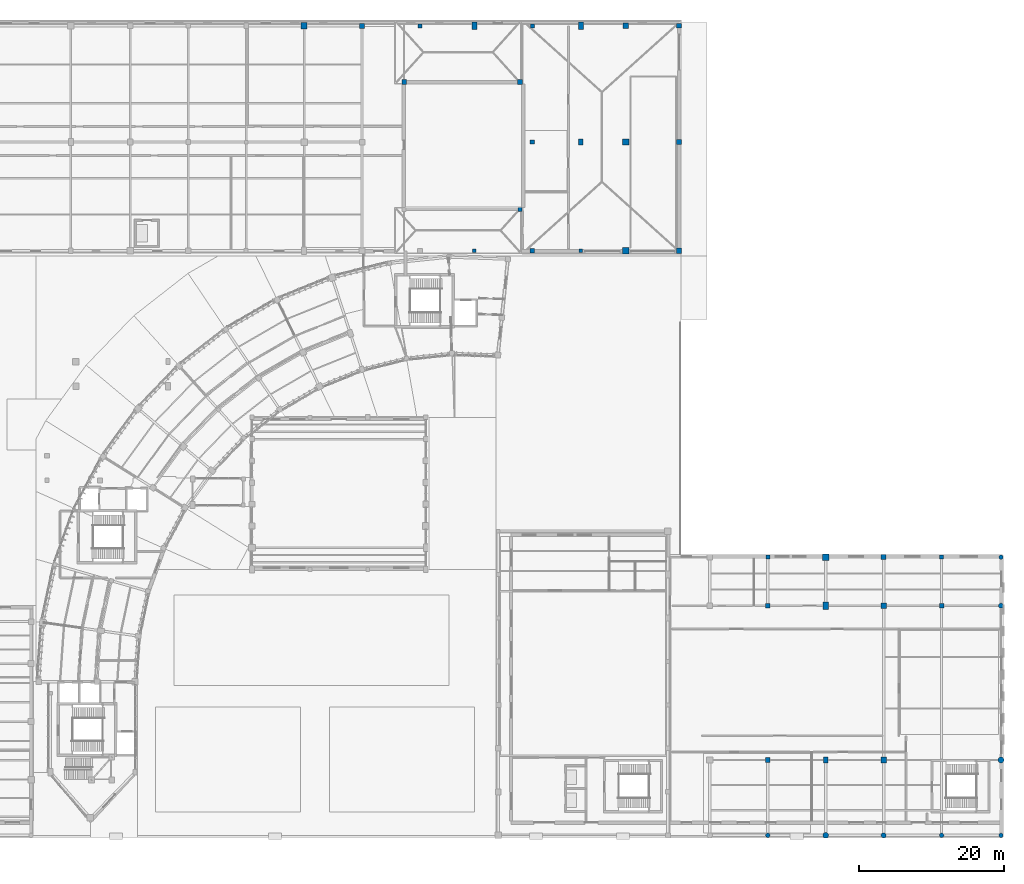
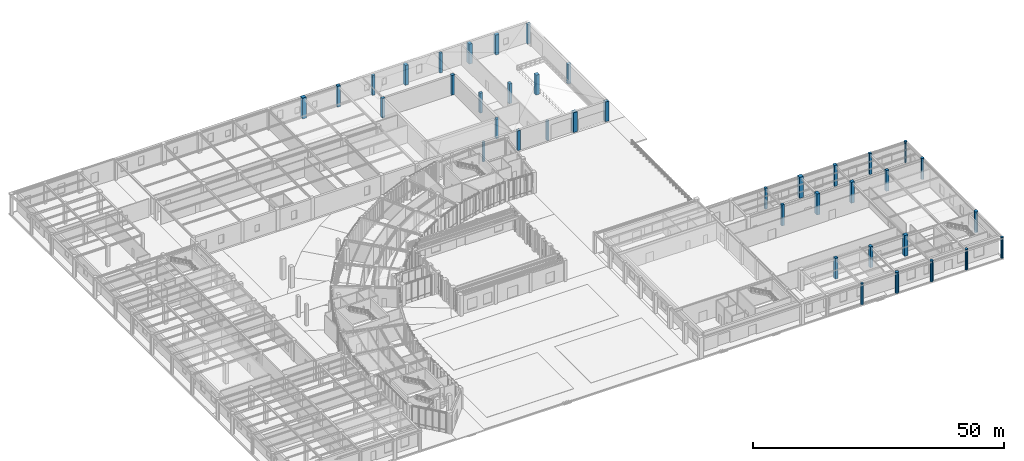
# One storey, part 2 of 68: 39 columns.
"""IFC4 building model written with IfcOpenShell, lengths in metres."""

from ifc_helpers import new_model, si_unit, direction, frame, origin, origin_2d, place, context, subcontext, project, spatial, rectangle, circle, extrude, material, material_profile, profile_set, type_object, element, save


model = new_model("IFC4")

# Units and contexts
model_context = context("Model", 3, precision=1e-05, world=origin(), true_north=direction((0.0, 1.0)))
body_context = subcontext(model_context, "Body", "Model", "MODEL_VIEW")
ifc_project = project(units=[si_unit("LENGTHUNIT", "METRE"), si_unit("AREAUNIT", "SQUARE_METRE"), si_unit("VOLUMEUNIT", "CUBIC_METRE"), si_unit("PLANEANGLEUNIT", "RADIAN"), si_unit("MASSUNIT", "GRAM", prefix="KILO"), si_unit("THERMODYNAMICTEMPERATUREUNIT", "KELVIN"), si_unit("POWERUNIT", "WATT")], contexts=[model_context])

# Site, building, storey
site_placement = place(None, origin())
site = spatial("IfcSite", under=ifc_project, at=site_placement, CompositionType="ELEMENT")
building_placement = place(site_placement, origin())
building = spatial("IfcBuilding", under=site, at=building_placement, Name="Solvatero Civic Police Headquarters", CompositionType="ELEMENT")
storey_placement = place(building_placement, origin())
storey = spatial("IfcBuildingStorey", under=building, at=storey_placement, Name="L00", CompositionType="ELEMENT", Elevation=0.0)

# Columns
ifc_material = material(Name="Concrete C40/50", Category="concrete")
ifc_material_profile_1 = material_profile(ifc_material, rectangle(XDim=0.5, YDim=0.5, at=origin_2d()), Name="RC 500x500")
ifc_profile_set_1 = profile_set([ifc_material_profile_1], Name="Concrete C40/50")
column_type_1 = type_object("IfcColumnType", Name="COL-RC-500", PredefinedType="COLUMN", material=ifc_profile_set_1)
for number, where, z_axis, x_axis, name in (
    (1, (110.199951171875, 85.5, 0.0), (0.0, 0.0, 1.0), (1.0, 0.0, 0.0), "Column V7-X11Y1 L00"),
    (2, (95.5, 85.5, 0.0), (0.0, 0.0, 1.0), (1.0, 0.0, 0.0), "Column V7-X9Y1 L00"),
):
    element("IfcColumn", number, at=place(storey_placement, frame(where, z_axis=z_axis, x_axis=x_axis)), inside=storey, type_object=column_type_1, Name=name, PredefinedType="COLUMN", context=body_context, shape_type="SweptSolid", body=[
        extrude(rectangle(XDim=0.5, YDim=0.5, at=origin_2d()), origin(), (0.0, 0.0, 1.0), 4.840087890625),
    ])
ifc_material_profile_2 = material_profile(ifc_material, rectangle(XDim=0.550048828125, YDim=0.550048828125, at=origin_2d()), Name="RC 550x550")
ifc_profile_set_2 = profile_set([ifc_material_profile_2], Name="Concrete C40/50")
column_type_2 = type_object("IfcColumnType", Name="COL-RC-550", PredefinedType="COLUMN", material=ifc_profile_set_2)
for number, where, z_axis, x_axis, name in (
    (3, (136.0, 43.199951171875, 0.0), (0.0, 0.0, 1.0), (1.0, 0.0, 0.0), "Column V3-X2Y4 L00"),
    (4, (160.0, 43.199951171875, 0.0), (0.0, 0.0, 1.0), (1.0, 0.0, 0.0), "Column V3-X5Y4 L00"),
):
    element("IfcColumn", number, at=place(storey_placement, frame(where, z_axis=z_axis, x_axis=x_axis)), inside=storey, type_object=column_type_2, Name=name, PredefinedType="COLUMN", context=body_context, shape_type="SweptSolid", body=[
        extrude(rectangle(XDim=0.550048828125, YDim=0.550048828125, at=origin_2d()), origin(), (0.0, 0.0, 1.0), 5.10009765625),
    ])
for number, where, z_axis, x_axis, name in (
    (5, (103.5, 116.550048828125, 0.0), (0.0, 0.0, 1.0), (1.0, 0.0, 0.0), "Column V7-X10Y3 L00"),
    (6, (88.0, 116.550048828125, 0.0), (0.0, 0.0, 1.0), (1.0, 0.0, 0.0), "Column V7-X8Y3 L00"),
):
    element("IfcColumn", number, at=place(storey_placement, frame(where, z_axis=z_axis, x_axis=x_axis)), inside=storey, type_object=column_type_2, Name=name, PredefinedType="COLUMN", context=body_context, shape_type="SweptSolid", body=[
        extrude(rectangle(XDim=0.550048828125, YDim=0.550048828125, at=origin_2d()), origin(), (0.0, 0.0, 1.0), 4.840087890625),
    ])
ifc_material_profile_3 = material_profile(ifc_material, rectangle(XDim=0.60009765625, YDim=0.60009765625, at=origin_2d()), Name="RC 600x600")
ifc_profile_set_3 = profile_set([ifc_material_profile_3], Name="Concrete C40/50")
column_type_3 = type_object("IfcColumnType", Name="COL-RC-600", PredefinedType="COLUMN", material=ifc_profile_set_3)
column_1_placement = place(storey_placement, frame((101.800048828125, 91.199951171875, 0.0), z_axis=(0.0, 0.0, 1.0), x_axis=(1.0, 0.0, 0.0)))
element("IfcColumn", 7, at=column_1_placement, inside=storey, type_object=column_type_3, Name="Column CUSY-SE L00", PredefinedType="COLUMN", context=body_context, shape_type="SweptSolid", body=[
    extrude(rectangle(XDim=0.60009765625, YDim=0.60009765625, at=origin_2d()), origin(), (0.0, 0.0, 1.0), 4.780029296875),
])
for number, where, z_axis, x_axis, name in (
    (8, (136.0, 36.5, 0.0), (0.0, 0.0, 1.0), (1.0, 0.0, 0.0), "Column V3-X2Y3 L00"),
    (9, (160.0, 36.5, 0.0), (0.0, 0.0, 1.0), (1.0, 0.0, 0.0), "Column V3-X5Y3 L00"),
):
    element("IfcColumn", number, at=place(storey_placement, frame(where, z_axis=z_axis, x_axis=x_axis)), inside=storey, type_object=column_type_3, Name=name, PredefinedType="COLUMN", context=body_context, shape_type="SweptSolid", body=[
        extrude(rectangle(XDim=0.60009765625, YDim=0.60009765625, at=origin_2d()), origin(), (0.0, 0.0, 1.0), 5.10009765625),
    ])
column_2_placement = place(storey_placement, frame((103.5, 100.5, 0.0), z_axis=(0.0, 0.0, 1.0), x_axis=(1.0, 0.0, 0.0)))
element("IfcColumn", 10, at=column_2_placement, inside=storey, type_object=column_type_3, Name="Column V7-X10Y2 L00", PredefinedType="COLUMN", context=body_context, shape_type="SweptSolid", body=[
    extrude(rectangle(XDim=0.60009765625, YDim=0.60009765625, at=origin_2d()), origin(), (0.0, 0.0, 1.0), 4.840087890625),
])
ifc_material_profile_4 = material_profile(ifc_material, rectangle(XDim=0.60009765625, YDim=0.800048828125, at=origin_2d()), Name="RC 600x800")
ifc_profile_set_4 = profile_set([ifc_material_profile_4], Name="Concrete C40/50")
column_type_4 = type_object("IfcColumnType", Name="COL-RC-600x800", PredefinedType="COLUMN", material=ifc_profile_set_4)
column_3_placement = place(storey_placement, frame((144.0, 15.199951171875, 0.0), z_axis=(0.0, 0.0, 1.0), x_axis=(1.0, 0.0, 0.0)))
element("IfcColumn", 11, at=column_3_placement, inside=storey, type_object=column_type_4, Name="Column V3-X3Y2 L00", PredefinedType="COLUMN", context=body_context, shape_type="SweptSolid", body=[
    extrude(rectangle(XDim=0.60009765625, YDim=0.800048828125, at=origin_2d()), origin(), (0.0, 0.0, 1.0), 5.10009765625),
])
column_4_placement = place(storey_placement, frame((110.199951171875, 100.5, 0.0), z_axis=(0.0, 0.0, 1.0), x_axis=(1.0, 0.0, 0.0)))
element("IfcColumn", 12, at=column_4_placement, inside=storey, type_object=column_type_4, Name="Column V7-X11Y2 L00", PredefinedType="COLUMN", context=body_context, shape_type="SweptSolid", body=[
    extrude(rectangle(XDim=0.60009765625, YDim=0.800048828125, at=origin_2d()), origin(), (0.0, 0.0, 1.0), 4.840087890625),
])
ifc_material_profile_5 = material_profile(ifc_material, rectangle(XDim=0.64990234375, YDim=0.64990234375, at=origin_2d()), Name="RC 650x650")
ifc_profile_set_5 = profile_set([ifc_material_profile_5], Name="Concrete C40/50")
column_type_5 = type_object("IfcColumnType", Name="COL-RC-650", PredefinedType="COLUMN", material=ifc_profile_set_5)
column_5_placement = place(storey_placement, frame((85.800048828125, 108.800048828125, 0.0), z_axis=(0.0, 0.0, 1.0), x_axis=(1.0, 0.0, 0.0)))
element("IfcColumn", 13, at=column_5_placement, inside=storey, type_object=column_type_5, Name="Column CUSY-NW L00", PredefinedType="COLUMN", context=body_context, shape_type="SweptSolid", body=[
    extrude(rectangle(XDim=0.64990234375, YDim=0.64990234375, at=origin_2d()), origin(), (0.0, 0.0, 1.0), 4.780029296875),
])
column_6_placement = place(storey_placement, frame((136.0, 15.199951171875, 0.0), z_axis=(0.0, 0.0, 1.0), x_axis=(1.0, 0.0, 0.0)))
element("IfcColumn", 14, at=column_6_placement, inside=storey, type_object=column_type_5, Name="Column V3-X2Y2 L00", PredefinedType="COLUMN", context=body_context, shape_type="SweptSolid", body=[
    extrude(rectangle(XDim=0.64990234375, YDim=0.64990234375, at=origin_2d()), origin(), (0.0, 0.0, 1.0), 5.10009765625),
])
for number, where, z_axis, x_axis, name in (
    (15, (103.5, 85.5, 0.0), (0.0, 0.0, 1.0), (1.0, 0.0, 0.0), "Column V7-X10Y1 L00"),
    (16, (123.75, 116.550048828125, 0.0), (0.0, 0.0, 1.0), (1.0, 0.0, 0.0), "Column V7-X13Y3 L00"),
):
    element("IfcColumn", number, at=place(storey_placement, frame(where, z_axis=z_axis, x_axis=x_axis)), inside=storey, type_object=column_type_5, Name=name, PredefinedType="COLUMN", context=body_context, shape_type="SweptSolid", body=[
        extrude(rectangle(XDim=0.64990234375, YDim=0.64990234375, at=origin_2d()), origin(), (0.0, 0.0, 1.0), 4.840087890625),
    ])
ifc_material_profile_6 = material_profile(ifc_material, rectangle(XDim=0.699951171875, YDim=0.699951171875, at=origin_2d()), Name="RC 700x700")
ifc_profile_set_6 = profile_set([ifc_material_profile_6], Name="Concrete C40/50")
column_type_6 = type_object("IfcColumnType", Name="COL-RC-700", PredefinedType="COLUMN", material=ifc_profile_set_6)
column_7_placement = place(storey_placement, frame((101.800048828125, 108.800048828125, 0.0), z_axis=(0.0, 0.0, 1.0), x_axis=(1.0, 0.0, 0.0)))
element("IfcColumn", 17, at=column_7_placement, inside=storey, type_object=column_type_6, Name="Column CUSY-NE L00", PredefinedType="COLUMN", context=body_context, shape_type="SweptSolid", body=[
    extrude(rectangle(XDim=0.699951171875, YDim=0.699951171875, at=origin_2d()), origin(), (0.0, 0.0, 1.0), 4.780029296875),
])
column_8_placement = place(storey_placement, frame((152.0, 43.199951171875, 0.0), z_axis=(0.0, 0.0, 1.0), x_axis=(1.0, 0.0, 0.0)))
element("IfcColumn", 18, at=column_8_placement, inside=storey, type_object=column_type_6, Name="Column V3-X4Y4 L00", PredefinedType="COLUMN", context=body_context, shape_type="SweptSolid", body=[
    extrude(rectangle(XDim=0.699951171875, YDim=0.699951171875, at=origin_2d()), origin(), (0.0, 0.0, 1.0), 5.10009765625),
])
column_9_placement = place(storey_placement, frame((123.75, 100.5, 0.0), z_axis=(0.0, 0.0, 1.0), x_axis=(1.0, 0.0, 0.0)))
element("IfcColumn", 19, at=column_9_placement, inside=storey, type_object=column_type_6, Name="Column V7-X13Y2 L00", PredefinedType="COLUMN", context=body_context, shape_type="SweptSolid", body=[
    extrude(rectangle(XDim=0.699951171875, YDim=0.699951171875, at=origin_2d()), origin(), (0.0, 0.0, 1.0), 4.840087890625),
])
column_10_placement = place(storey_placement, frame((80.0, 116.550048828125, 0.0), z_axis=(0.0, 0.0, 1.0), x_axis=(1.0, 0.0, 0.0)))
element("IfcColumn", 20, at=column_10_placement, inside=storey, type_object=column_type_6, Name="Column V7-X7Y3 L00", PredefinedType="COLUMN", context=body_context, shape_type="SweptSolid", body=[
    extrude(rectangle(XDim=0.699951171875, YDim=0.699951171875, at=origin_2d()), origin(), (0.0, 0.0, 1.0), 5.10009765625),
])
ifc_material_profile_7 = material_profile(ifc_material, rectangle(XDim=0.699951171875, YDim=1.0, at=origin_2d()), Name="RC 700x1000")
ifc_profile_set_7 = profile_set([ifc_material_profile_7], Name="Concrete C40/50")
column_type_7 = type_object("IfcColumnType", Name="COL-RC-700x1000", PredefinedType="COLUMN", material=ifc_profile_set_7)
column_11_placement = place(storey_placement, frame((144.0, 36.5, 0.0), z_axis=(0.0, 0.0, 1.0), x_axis=(1.0, 0.0, 0.0)))
element("IfcColumn", 21, at=column_11_placement, inside=storey, type_object=column_type_7, Name="Column V3-X3Y3 L00", PredefinedType="COLUMN", context=body_context, shape_type="SweptSolid", body=[
    extrude(rectangle(XDim=0.699951171875, YDim=1.0, at=origin_2d()), origin(), (0.0, 0.0, 1.0), 5.10009765625),
])
for number, where, z_axis, x_axis, name in (
    (22, (110.199951171875, 116.550048828125, 0.0), (0.0, 0.0, 1.0), (1.0, 0.0, 0.0), "Column V7-X11Y3 L00"),
    (23, (95.5, 116.550048828125, 0.0), (0.0, 0.0, 1.0), (1.0, 0.0, 0.0), "Column V7-X9Y3 L00"),
):
    element("IfcColumn", number, at=place(storey_placement, frame(where, z_axis=z_axis, x_axis=x_axis)), inside=storey, type_object=column_type_7, Name=name, PredefinedType="COLUMN", context=body_context, shape_type="SweptSolid", body=[
        extrude(rectangle(XDim=0.699951171875, YDim=1.0, at=origin_2d()), origin(), (0.0, 0.0, 1.0), 4.840087890625),
    ])
ifc_material_profile_8 = material_profile(ifc_material, rectangle(XDim=0.75, YDim=0.75, at=origin_2d()), Name="RC 750x750")
ifc_profile_set_8 = profile_set([ifc_material_profile_8], Name="Concrete C40/50")
column_type_8 = type_object("IfcColumnType", Name="COL-RC-750", PredefinedType="COLUMN", material=ifc_profile_set_8)
column_12_placement = place(storey_placement, frame((152.0, 36.5, 0.0), z_axis=(0.0, 0.0, 1.0), x_axis=(1.0, 0.0, 0.0)))
element("IfcColumn", 24, at=column_12_placement, inside=storey, type_object=column_type_8, Name="Column V3-X4Y3 L00", PredefinedType="COLUMN", context=body_context, shape_type="SweptSolid", body=[
    extrude(rectangle(XDim=0.75, YDim=0.75, at=origin_2d()), origin(), (0.0, 0.0, 1.0), 5.10009765625),
])
column_13_placement = place(storey_placement, frame((123.75, 85.5, 0.0), z_axis=(0.0, 0.0, 1.0), x_axis=(1.0, 0.0, 0.0)))
element("IfcColumn", 25, at=column_13_placement, inside=storey, type_object=column_type_8, Name="Column V7-X13Y1 L00", PredefinedType="COLUMN", context=body_context, shape_type="SweptSolid", body=[
    extrude(rectangle(XDim=0.75, YDim=0.75, at=origin_2d()), origin(), (0.0, 0.0, 1.0), 4.840087890625),
])
ifc_material_profile_9 = material_profile(ifc_material, rectangle(XDim=0.800048828125, YDim=0.800048828125, at=origin_2d()), Name="RC 800x800")
ifc_profile_set_9 = profile_set([ifc_material_profile_9], Name="Concrete C40/50")
column_type_9 = type_object("IfcColumnType", Name="COL-RC-800", PredefinedType="COLUMN", material=ifc_profile_set_9)
column_14_placement = place(storey_placement, frame((152.0, 15.199951171875, 0.0), z_axis=(0.0, 0.0, 1.0), x_axis=(1.0, 0.0, 0.0)))
element("IfcColumn", 26, at=column_14_placement, inside=storey, type_object=column_type_9, Name="Column V3-X4Y2 L00", PredefinedType="COLUMN", context=body_context, shape_type="SweptSolid", body=[
    extrude(rectangle(XDim=0.800048828125, YDim=0.800048828125, at=origin_2d()), origin(), (0.0, 0.0, 1.0), 5.10009765625),
])
column_15_placement = place(storey_placement, frame((116.39990234375, 116.550048828125, 0.0), z_axis=(0.0, 0.0, 1.0), x_axis=(1.0, 0.0, 0.0)))
element("IfcColumn", 27, at=column_15_placement, inside=storey, type_object=column_type_9, Name="Column V7-X12Y3 L00", PredefinedType="COLUMN", context=body_context, shape_type="SweptSolid", body=[
    extrude(rectangle(XDim=0.800048828125, YDim=0.800048828125, at=origin_2d()), origin(), (0.0, 0.0, 1.0), 4.840087890625),
])
ifc_material_profile_10 = material_profile(ifc_material, rectangle(XDim=0.85009765625, YDim=0.85009765625, at=origin_2d()), Name="RC 850x850")
ifc_profile_set_10 = profile_set([ifc_material_profile_10], Name="Concrete C40/50")
column_type_10 = type_object("IfcColumnType", Name="COL-RC-850", PredefinedType="COLUMN", material=ifc_profile_set_10)
column_16_placement = place(storey_placement, frame((116.39990234375, 100.5, 0.0), z_axis=(0.0, 0.0, 1.0), x_axis=(1.0, 0.0, 0.0)))
element("IfcColumn", 28, at=column_16_placement, inside=storey, type_object=column_type_10, Name="Column V7-X12Y2 L00", PredefinedType="COLUMN", context=body_context, shape_type="SweptSolid", body=[
    extrude(rectangle(XDim=0.85009765625, YDim=0.85009765625, at=origin_2d()), origin(), (0.0, 0.0, 1.0), 4.840087890625),
])
column_17_placement = place(storey_placement, frame((72.0, 116.550048828125, 0.0), z_axis=(0.0, 0.0, 1.0), x_axis=(1.0, 0.0, 0.0)))
element("IfcColumn", 29, at=column_17_placement, inside=storey, type_object=column_type_10, Name="Column V7-X6Y3 L00", PredefinedType="COLUMN", context=body_context, shape_type="SweptSolid", body=[
    extrude(rectangle(XDim=0.85009765625, YDim=0.85009765625, at=origin_2d()), origin(), (0.0, 0.0, 1.0), 5.10009765625),
])
ifc_material_profile_11 = material_profile(ifc_material, rectangle(XDim=0.89990234375, YDim=0.89990234375, at=origin_2d()), Name="RC 900x900")
ifc_profile_set_11 = profile_set([ifc_material_profile_11], Name="Concrete C40/50")
column_type_11 = type_object("IfcColumnType", Name="COL-RC-900", PredefinedType="COLUMN", material=ifc_profile_set_11)
column_18_placement = place(storey_placement, frame((144.0, 43.199951171875, 0.0), z_axis=(0.0, 0.0, 1.0), x_axis=(1.0, 0.0, 0.0)))
element("IfcColumn", 30, at=column_18_placement, inside=storey, type_object=column_type_11, Name="Column V3-X3Y4 L00", PredefinedType="COLUMN", context=body_context, shape_type="SweptSolid", body=[
    extrude(rectangle(XDim=0.89990234375, YDim=0.89990234375, at=origin_2d()), origin(), (0.0, 0.0, 1.0), 5.10009765625),
])
column_19_placement = place(storey_placement, frame((116.39990234375, 85.5, 0.0), z_axis=(0.0, 0.0, 1.0), x_axis=(1.0, 0.0, 0.0)))
element("IfcColumn", 31, at=column_19_placement, inside=storey, type_object=column_type_11, Name="Column V7-X12Y1 L00", PredefinedType="COLUMN", context=body_context, shape_type="SweptSolid", body=[
    extrude(rectangle(XDim=0.89990234375, YDim=0.89990234375, at=origin_2d()), origin(), (0.0, 0.0, 1.0), 4.840087890625),
])
ifc_material_profile_12 = material_profile(ifc_material, circle(Radius=0.300048828125, at=origin_2d()), Name="RC COL D600")
ifc_profile_set_12 = profile_set([ifc_material_profile_12], Name="Concrete C40/50")
column_type_12 = type_object("IfcColumnType", Name="COL-RC-D600", PredefinedType="COLUMN", material=ifc_profile_set_12)
for number, where, z_axis, x_axis, name in (
    (32, (136.0, 4.800048828125, 0.0), (0.0, 0.0, 1.0), (1.0, 0.0, 0.0), "Column V3-X2Y1 L00"),
    (33, (160.0, 4.800048828125, 0.0), (0.0, 0.0, 1.0), (1.0, 0.0, 0.0), "Column V3-X5Y1 L00"),
    (34, (168.199951171875, 4.800048828125, 0.0), (0.0, 0.0, 1.0), (1.0, 0.0, 0.0), "Column V3-X6Y1 L00"),
    (35, (168.199951171875, 43.199951171875, 0.0), (0.0, 0.0, 1.0), (1.0, 0.0, 0.0), "Column V3-X6Y4 L00"),
):
    element("IfcColumn", number, at=place(storey_placement, frame(where, z_axis=z_axis, x_axis=x_axis)), inside=storey, type_object=column_type_12, Name=name, PredefinedType="COLUMN", context=body_context, shape_type="SweptSolid", body=[
        extrude(circle(Radius=0.300048828125, at=origin_2d()), origin(), (0.0, 0.0, 1.0), 5.10009765625),
    ])
ifc_material_profile_13 = material_profile(ifc_material, circle(Radius=0.35009765625, at=origin_2d()), Name="RC COL D700")
ifc_profile_set_13 = profile_set([ifc_material_profile_13], Name="Concrete C40/50")
column_type_13 = type_object("IfcColumnType", Name="COL-RC-D700", PredefinedType="COLUMN", material=ifc_profile_set_13)
for number, where, z_axis, x_axis, name in (
    (36, (152.0, 4.800048828125, 0.0), (0.0, 0.0, 1.0), (1.0, 0.0, 0.0), "Column V3-X4Y1 L00"),
    (37, (168.199951171875, 36.5, 0.0), (0.0, 0.0, 1.0), (1.0, 0.0, 0.0), "Column V3-X6Y3 L00"),
):
    element("IfcColumn", number, at=place(storey_placement, frame(where, z_axis=z_axis, x_axis=x_axis)), inside=storey, type_object=column_type_13, Name=name, PredefinedType="COLUMN", context=body_context, shape_type="SweptSolid", body=[
        extrude(circle(Radius=0.35009765625, at=origin_2d()), origin(), (0.0, 0.0, 1.0), 5.10009765625),
    ])
ifc_material_profile_14 = material_profile(ifc_material, circle(Radius=0.39990234375, at=origin_2d()), Name="RC COL D800")
ifc_profile_set_14 = profile_set([ifc_material_profile_14], Name="Concrete C40/50")
column_type_14 = type_object("IfcColumnType", Name="COL-RC-D800", PredefinedType="COLUMN", material=ifc_profile_set_14)
for number, where, z_axis, x_axis, name in (
    (38, (144.0, 4.800048828125, 0.0), (0.0, 0.0, 1.0), (1.0, 0.0, 0.0), "Column V3-X3Y1 L00"),
    (39, (168.199951171875, 15.199951171875, 0.0), (0.0, 0.0, 1.0), (1.0, 0.0, 0.0), "Column V3-X6Y2 L00"),
):
    element("IfcColumn", number, at=place(storey_placement, frame(where, z_axis=z_axis, x_axis=x_axis)), inside=storey, type_object=column_type_14, Name=name, PredefinedType="COLUMN", context=body_context, shape_type="SweptSolid", body=[
        extrude(circle(Radius=0.39990234375, at=origin_2d()), origin(), (0.0, 0.0, 1.0), 5.10009765625),
    ])

save(model, "model.ifc")
